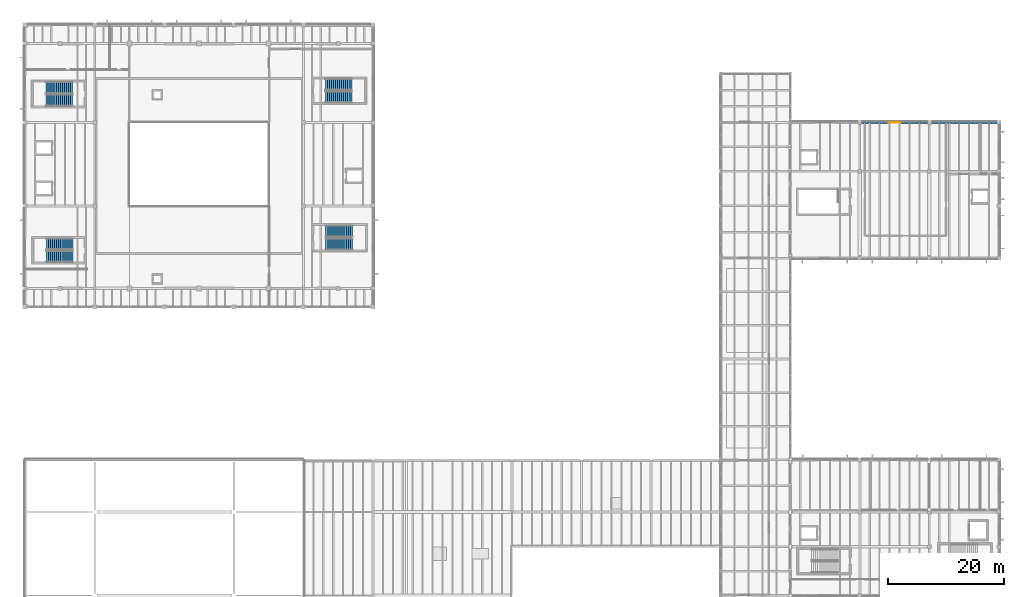
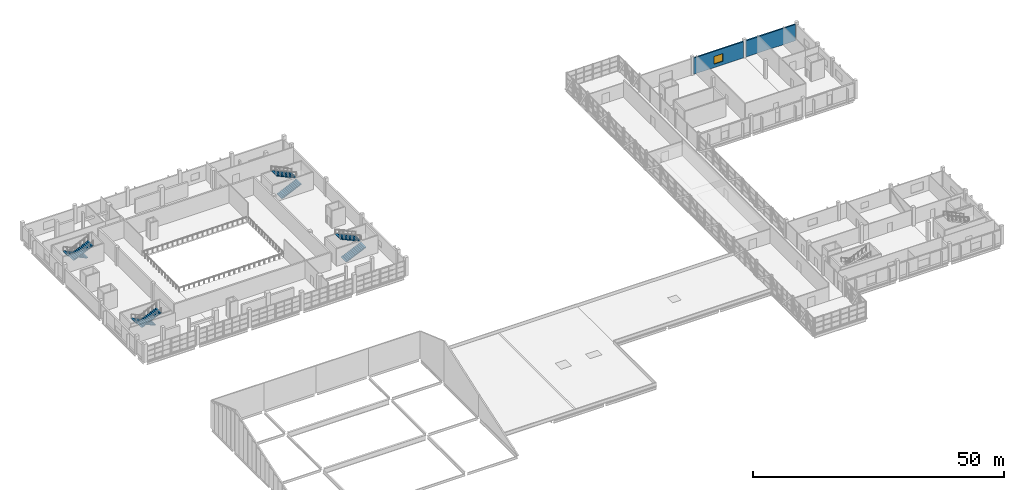
# One storey, part 51 of 63: 8 stair flights, 2 walls, 1 window, 1 opening, 4 elements without a shape of their own.
"""IFC4 building model written with IfcOpenShell, lengths in metres."""

from ifc_helpers import new_model, si_unit, direction, frame, frame_2d, origin, place, context, subcontext, project, spatial, polyline, rectangle, outline, extrude, material, layer, layer_set, type_object, element, fill, aggregate, save


model = new_model("IFC4")

# Units and contexts
model_context = context("Model", 3, precision=1e-05, world=origin(), true_north=direction((0.0, 1.0)))
body_context = subcontext(model_context, "Body", "Model", "MODEL_VIEW")
ifc_project = project(units=[si_unit("LENGTHUNIT", "METRE"), si_unit("AREAUNIT", "SQUARE_METRE"), si_unit("VOLUMEUNIT", "CUBIC_METRE"), si_unit("PLANEANGLEUNIT", "RADIAN"), si_unit("MASSUNIT", "GRAM", prefix="KILO")], contexts=[model_context])

# Site, building, storey
site_placement = place(None, origin())
site = spatial("IfcSite", under=ifc_project, at=site_placement, CompositionType="ELEMENT")
building_placement = place(site_placement, origin())
building = spatial("IfcBuilding", under=site, at=building_placement, Name="Kelmvaro Bay Concert Hall", CompositionType="ELEMENT")
storey_placement = place(building_placement, frame((0.0, 0.0, 13.800048828125)))
storey = spatial("IfcBuildingStorey", under=building, at=storey_placement, Name="L03", CompositionType="ELEMENT", Elevation=13.800048828125)

# Wall, opening, window
ifc_material_1 = material(Name="Precast Concrete C40/50", Category="concrete")
ifc_layer = layer(ifc_material_1, 0.320068359375)
ifc_layer_set = layer_set([ifc_layer], Name="Precast Concrete C40/50")
wall_type = type_object("IfcWallType", Name="Chamber Pavilion Precast Wall 320", PredefinedType="SOLIDWALL", material=ifc_layer_set)
wall_1_placement = place(storey_placement, frame((144.324951171875, 97.199951171875, 0.0), z_axis=(0.0, 0.0, 1.0), x_axis=(1.0, 0.0, 0.0)))
wall_1 = element("IfcWall", 1, at=wall_1_placement, inside=storey, type_object=wall_type, Name="L03 Exterior Wall EW-L03-0151", PredefinedType="SOLIDWALL", context=body_context, shape_type="SweptSolid", body=[
    extrude(rectangle(XDim=11.35009765625, YDim=0.320068359375, at=frame_2d((5.675048828125, 0.0))), origin(), (0.0, 0.0, 1.0), 3.94384765625),
])
opening_placement = place(wall_1_placement, frame((4.675048828125, 0.0, 0.85009765625)))
opening = element("IfcOpeningElement", 2, at=opening_placement, cuts=wall_1, Name="Opening WN-16", PredefinedType="OPENING", context=body_context, shape_type="SweptSolid", body=[
    extrude(rectangle(XDim=2.0, YDim=1.85009765625, at=frame_2d((1.0, 0.925048828125))), frame((0.0, 0.169921875, 0.0), z_axis=(0.0, -1.0, 0.0), x_axis=(1.0, 0.0, 0.0)), (0.0, 0.0, 1.0), 0.340087890625),
])
ifc_material_2 = material(Name="Thermally Broken Aluminium and Acoustic Low-E Glass", Category="aluminium")
window_type = type_object("IfcWindowType", Name="Green Room Garden Window 2000x1850", PartitioningType="SINGLE_PANEL", PredefinedType="WINDOW", material=ifc_material_2)
window_placement = place(opening_placement, origin())
window = element("IfcWindow", 3, at=window_placement, inside=storey, type_object=window_type, Name="L03 Facade Window WN-L03-0071", OverallHeight=1.85009765625, OverallWidth=2.0, PartitioningType="SINGLE_PANEL", PredefinedType="WINDOW", context=body_context, shape_type="SweptSolid", body=[
    extrude(rectangle(XDim=2.0, YDim=1.85009765625, at=frame_2d((1.0, 0.925048828125))), frame((0.0, 0.030029296875, 0.0), z_axis=(0.0, -1.0, 0.0), x_axis=(1.0, 0.0, 0.0)), (0.0, 0.0, 1.0), 0.06005859375),
])
fill(opening, window)

# Wall
wall_2_placement = place(storey_placement, frame((156.324951171875, 97.199951171875, 0.0), z_axis=(0.0, 0.0, 1.0), x_axis=(1.0, 0.0, 0.0)))
element("IfcWall", 4, at=wall_2_placement, inside=storey, type_object=wall_type, Name="L03 Exterior Wall EW-L03-0152", PredefinedType="SOLIDWALL", context=body_context, shape_type="SweptSolid", body=[
    extrude(rectangle(XDim=11.35009765625, YDim=0.320068359375, at=frame_2d((5.675048828125, 0.0))), origin(), (0.0, 0.0, 1.0), 3.94384765625),
])

# Stair, stair flights
ifc_material_3 = material(Name="Concrete C40/50", Category="concrete")
stair_type_1 = type_object("IfcStairType", Name="Core Dogleg Exit Stair 1980", PredefinedType="USERDEFINED", material=ifc_material_3)
stair_1_placement = place(storey_placement, origin())
stair_1 = element("IfcStair", 5, at=stair_1_placement, inside=storey, type_object=stair_type_1, Name="L03 Exit Stair ST-01", ObjectType="TWO_RETURN_STAIR", PredefinedType="USERDEFINED")
ifc_material_4 = material(Name="Precast Concrete C40/50", Category="concrete")
stair_flight_type_1 = type_object("IfcStairFlightType", Name="Precast Concrete Core Stair Flight 1980", PredefinedType="STRAIGHT", material=ifc_material_4)
stair_flight_1_placement = place(storey_placement, frame((8.219970703125, 76.2099609375, 0.0), z_axis=(0.0, 0.0, 1.0), x_axis=(-1.0, 0.0, 0.0)))
stair_flight_1 = element("IfcStairFlight", 6, at=stair_flight_1_placement, type_object=stair_flight_type_1, Name="ST-01 flight 1", NumberOfRisers=14, NumberOfTreads=13, PredefinedType="STRAIGHT", RiserHeight=0.160714286, TreadLength=0.348, context=body_context, shape_type="SweptSolid", body=[
    extrude(outline(polyline([(0.0, 0.0), (0.0, 0.16064453125), (0.347900390625, 0.16064453125), (0.347900390625, 0.321533203125), (0.696044921875, 0.321533203125), (0.696044921875, 0.482177734375), (1.0439453125, 0.482177734375), (1.0439453125, 0.642822265625), (1.39208984375, 0.642822265625), (1.39208984375, 0.803466796875), (1.739990234375, 0.803466796875), (1.739990234375, 0.96435546875), (2.087890625, 0.96435546875), (2.087890625, 1.125), (2.43603515625, 1.125), (2.43603515625, 1.28564453125), (2.783935546875, 1.28564453125), (2.783935546875, 1.446533203125), (3.132080078125, 1.446533203125), (3.132080078125, 1.607177734375), (3.47998046875, 1.607177734375), (3.47998046875, 1.767822265625), (3.827880859375, 1.767822265625), (3.827880859375, 1.928466796875), (4.176025390625, 1.928466796875), (4.176025390625, 2.08935546875), (4.52392578125, 2.08935546875), (4.52392578125, 2.25), (4.52392578125, 1.924072265625), (0.357421875, 0.0), (0.0, 0.0)])), frame((0.0, 0.989990234375, 0.0), z_axis=(0.0, -1.0, 0.0), x_axis=(1.0, 0.0, 0.0)), (0.0, 0.0, 1.0), 1.97998046875),
])
stair_flight_2_placement = place(storey_placement, frame((3.696044921875, 74.080078125, 2.25), z_axis=(0.0, 0.0, 1.0), x_axis=(1.0, 0.0, 0.0)))
stair_flight_2 = element("IfcStairFlight", 7, at=stair_flight_2_placement, type_object=stair_flight_type_1, Name="ST-01 flight 2", NumberOfRisers=14, NumberOfTreads=13, PredefinedType="STRAIGHT", RiserHeight=0.160714286, TreadLength=0.348, context=body_context, shape_type="SweptSolid", body=[
    extrude(outline(polyline([(0.0, 0.0), (0.0, 0.16064453125), (0.347900390625, 0.16064453125), (0.347900390625, 0.321533203125), (0.696044921875, 0.321533203125), (0.696044921875, 0.482177734375), (1.0439453125, 0.482177734375), (1.0439453125, 0.642822265625), (1.39208984375, 0.642822265625), (1.39208984375, 0.803466796875), (1.739990234375, 0.803466796875), (1.739990234375, 0.96435546875), (2.087890625, 0.96435546875), (2.087890625, 1.125), (2.43603515625, 1.125), (2.43603515625, 1.28564453125), (2.783935546875, 1.28564453125), (2.783935546875, 1.446533203125), (3.132080078125, 1.446533203125), (3.132080078125, 1.607177734375), (3.47998046875, 1.607177734375), (3.47998046875, 1.767822265625), (3.827880859375, 1.767822265625), (3.827880859375, 1.928466796875), (4.176025390625, 1.928466796875), (4.176025390625, 2.08935546875), (4.52392578125, 2.08935546875), (4.52392578125, 2.25), (4.52392578125, 1.924072265625), (0.357421875, 0.0), (0.0, 0.0)])), frame((0.0, 0.989990234375, 0.0), z_axis=(0.0, -1.0, 0.0), x_axis=(1.0, 0.0, 0.0)), (0.0, 0.0, 1.0), 1.97998046875),
])
aggregate(stair_1, [stair_flight_1, stair_flight_2])

ifc_material_5 = material(Name="Concrete C40/50", Category="concrete")
stair_type_2 = type_object("IfcStairType", Name="Core Dogleg Exit Stair 2000", PredefinedType="USERDEFINED", material=ifc_material_5)
stair_2_placement = place(storey_placement, origin())
stair_2 = element("IfcStair", 8, at=stair_2_placement, inside=storey, type_object=stair_type_2, Name="L03 Exit Stair ST-02", ObjectType="TWO_RETURN_STAIR", PredefinedType="USERDEFINED")
ifc_material_6 = material(Name="Precast Concrete C40/50", Category="concrete")
stair_flight_type_2 = type_object("IfcStairFlightType", Name="Precast Concrete Core Stair Flight 2000", PredefinedType="STRAIGHT", material=ifc_material_6)
stair_flight_3_placement = place(storey_placement, frame((51.800048828125, 101.60009765625, 0.0), z_axis=(0.0, 0.0, 1.0), x_axis=(1.0, 0.0, 0.0)))
stair_flight_3 = element("IfcStairFlight", 9, at=stair_flight_3_placement, type_object=stair_flight_type_2, Name="ST-02 flight 1", NumberOfRisers=14, NumberOfTreads=13, PredefinedType="STRAIGHT", RiserHeight=0.160714286, TreadLength=0.35, context=body_context, shape_type="SweptSolid", body=[
    extrude(outline(polyline([(0.0, 0.0), (0.0, 0.16064453125), (0.35009765625, 0.16064453125), (0.35009765625, 0.321533203125), (0.699951171875, 0.321533203125), (0.699951171875, 0.482177734375), (1.050048828125, 0.482177734375), (1.050048828125, 0.642822265625), (1.39990234375, 0.642822265625), (1.39990234375, 0.803466796875), (1.75, 0.803466796875), (1.75, 0.96435546875), (2.10009765625, 0.96435546875), (2.10009765625, 1.125), (2.449951171875, 1.125), (2.449951171875, 1.28564453125), (2.800048828125, 1.28564453125), (2.800048828125, 1.446533203125), (3.14990234375, 1.446533203125), (3.14990234375, 1.607177734375), (3.5, 1.607177734375), (3.5, 1.767822265625), (3.85009765625, 1.767822265625), (3.85009765625, 1.928466796875), (4.199951171875, 1.928466796875), (4.199951171875, 2.08935546875), (4.550048828125, 2.08935546875), (4.550048828125, 2.25), (4.550048828125, 1.92431640625), (0.359130859375, 0.0), (0.0, 0.0)])), frame((0.0, 1.0, 0.0), z_axis=(0.0, -1.0, 0.0), x_axis=(1.0, 0.0, 0.0)), (0.0, 0.0, 1.0), 2.0),
])
stair_flight_4_placement = place(storey_placement, frame((56.35009765625, 103.75, 2.25), z_axis=(0.0, 0.0, 1.0), x_axis=(-1.0, 0.0, 0.0)))
stair_flight_4 = element("IfcStairFlight", 10, at=stair_flight_4_placement, type_object=stair_flight_type_2, Name="ST-02 flight 2", NumberOfRisers=14, NumberOfTreads=13, PredefinedType="STRAIGHT", RiserHeight=0.160714286, TreadLength=0.35, context=body_context, shape_type="SweptSolid", body=[
    extrude(outline(polyline([(0.0, 0.0), (0.0, 0.16064453125), (0.35009765625, 0.16064453125), (0.35009765625, 0.321533203125), (0.699951171875, 0.321533203125), (0.699951171875, 0.482177734375), (1.050048828125, 0.482177734375), (1.050048828125, 0.642822265625), (1.39990234375, 0.642822265625), (1.39990234375, 0.803466796875), (1.75, 0.803466796875), (1.75, 0.96435546875), (2.10009765625, 0.96435546875), (2.10009765625, 1.125), (2.449951171875, 1.125), (2.449951171875, 1.28564453125), (2.800048828125, 1.28564453125), (2.800048828125, 1.446533203125), (3.14990234375, 1.446533203125), (3.14990234375, 1.607177734375), (3.5, 1.607177734375), (3.5, 1.767822265625), (3.85009765625, 1.767822265625), (3.85009765625, 1.928466796875), (4.199951171875, 1.928466796875), (4.199951171875, 2.08935546875), (4.550048828125, 2.08935546875), (4.550048828125, 2.25), (4.550048828125, 1.92431640625), (0.359130859375, 0.0), (0.0, 0.0)])), frame((0.0, 1.0, 0.0), z_axis=(0.0, -1.0, 0.0), x_axis=(1.0, 0.0, 0.0)), (0.0, 0.0, 1.0), 2.0),
])
aggregate(stair_2, [stair_flight_3, stair_flight_4])

ifc_material_7 = material(Name="Concrete C40/50", Category="concrete")
stair_type_3 = type_object("IfcStairType", Name="Core Dogleg Exit Stair 2020", PredefinedType="USERDEFINED", material=ifc_material_7)
stair_3_placement = place(storey_placement, origin())
stair_3 = element("IfcStair", 11, at=stair_3_placement, inside=storey, type_object=stair_type_3, Name="L03 Exit Stair ST-03", ObjectType="TWO_RETURN_STAIR", PredefinedType="USERDEFINED")
ifc_material_8 = material(Name="Precast Concrete C40/50", Category="concrete")
stair_flight_type_3 = type_object("IfcStairFlightType", Name="Precast Concrete Core Stair Flight 2020", PredefinedType="STRAIGHT", material=ifc_material_8)
stair_flight_5_placement = place(storey_placement, frame((8.179931640625, 103.18994140625, 0.0), z_axis=(0.0, 0.0, 1.0), x_axis=(-1.0, 0.0, 0.0)))
stair_flight_5 = element("IfcStairFlight", 12, at=stair_flight_5_placement, type_object=stair_flight_type_3, Name="ST-03 flight 1", NumberOfRisers=14, NumberOfTreads=13, PredefinedType="STRAIGHT", RiserHeight=0.160714286, TreadLength=0.352, context=body_context, shape_type="SweptSolid", body=[
    extrude(outline(polyline([(0.0, 0.0), (0.0, 0.16064453125), (0.35205078125, 0.16064453125), (0.35205078125, 0.321533203125), (0.7041015625, 0.321533203125), (0.7041015625, 0.482177734375), (1.055908203125, 0.482177734375), (1.055908203125, 0.642822265625), (1.407958984375, 0.642822265625), (1.407958984375, 0.803466796875), (1.760009765625, 0.803466796875), (1.760009765625, 0.96435546875), (2.112060546875, 0.96435546875), (2.112060546875, 1.125), (2.464111328125, 1.125), (2.464111328125, 1.28564453125), (2.81591796875, 1.28564453125), (2.81591796875, 1.446533203125), (3.16796875, 1.446533203125), (3.16796875, 1.607177734375), (3.52001953125, 1.607177734375), (3.52001953125, 1.767822265625), (3.8720703125, 1.767822265625), (3.8720703125, 1.928466796875), (4.22412109375, 1.928466796875), (4.22412109375, 2.08935546875), (4.575927734375, 2.08935546875), (4.575927734375, 2.25), (4.575927734375, 1.924560546875), (0.36083984375, 0.0), (0.0, 0.0)])), frame((0.0, 1.010009765625, 0.0), z_axis=(0.0, -1.0, 0.0), x_axis=(1.0, 0.0, 0.0)), (0.0, 0.0, 1.0), 2.02001953125),
])
stair_flight_6_placement = place(storey_placement, frame((3.60400390625, 101.02001953125, 2.25), z_axis=(0.0, 0.0, 1.0), x_axis=(1.0, 0.0, 0.0)))
stair_flight_6 = element("IfcStairFlight", 13, at=stair_flight_6_placement, type_object=stair_flight_type_3, Name="ST-03 flight 2", NumberOfRisers=14, NumberOfTreads=13, PredefinedType="STRAIGHT", RiserHeight=0.160714286, TreadLength=0.352, context=body_context, shape_type="SweptSolid", body=[
    extrude(outline(polyline([(0.0, 0.0), (0.0, 0.16064453125), (0.35205078125, 0.16064453125), (0.35205078125, 0.321533203125), (0.7041015625, 0.321533203125), (0.7041015625, 0.482177734375), (1.055908203125, 0.482177734375), (1.055908203125, 0.642822265625), (1.407958984375, 0.642822265625), (1.407958984375, 0.803466796875), (1.760009765625, 0.803466796875), (1.760009765625, 0.96435546875), (2.112060546875, 0.96435546875), (2.112060546875, 1.125), (2.464111328125, 1.125), (2.464111328125, 1.28564453125), (2.81591796875, 1.28564453125), (2.81591796875, 1.446533203125), (3.16796875, 1.446533203125), (3.16796875, 1.607177734375), (3.52001953125, 1.607177734375), (3.52001953125, 1.767822265625), (3.8720703125, 1.767822265625), (3.8720703125, 1.928466796875), (4.22412109375, 1.928466796875), (4.22412109375, 2.08935546875), (4.575927734375, 2.08935546875), (4.575927734375, 2.25), (4.575927734375, 1.924560546875), (0.36083984375, 0.0), (0.0, 0.0)])), frame((0.0, 1.010009765625, 0.0), z_axis=(0.0, -1.0, 0.0), x_axis=(1.0, 0.0, 0.0)), (0.0, 0.0, 1.0), 2.02001953125),
])
aggregate(stair_3, [stair_flight_5, stair_flight_6])

ifc_material_9 = material(Name="Concrete C40/50", Category="concrete")
stair_type_4 = type_object("IfcStairType", Name="Core Dogleg Exit Stair 2050", PredefinedType="USERDEFINED", material=ifc_material_9)
stair_4_placement = place(storey_placement, origin())
stair_4 = element("IfcStair", 14, at=stair_4_placement, inside=storey, type_object=stair_type_4, Name="L03 Exit Stair ST-04", ObjectType="TWO_RETURN_STAIR", PredefinedType="USERDEFINED")
ifc_material_10 = material(Name="Precast Concrete C40/50", Category="concrete")
stair_flight_type_4 = type_object("IfcStairFlightType", Name="Precast Concrete Core Stair Flight 2050", PredefinedType="STRAIGHT", material=ifc_material_10)
stair_flight_7_placement = place(storey_placement, frame((51.85009765625, 76.22509765625, 0.0), z_axis=(0.0, 0.0, 1.0), x_axis=(1.0, 0.0, 0.0)))
stair_flight_7 = element("IfcStairFlight", 15, at=stair_flight_7_placement, type_object=stair_flight_type_4, Name="ST-04 flight 1", NumberOfRisers=14, NumberOfTreads=13, PredefinedType="STRAIGHT", RiserHeight=0.160714286, TreadLength=0.355, context=body_context, shape_type="SweptSolid", body=[
    extrude(outline(polyline([(0.0, 0.0), (0.0, 0.16064453125), (0.35498046875, 0.16064453125), (0.35498046875, 0.321533203125), (0.7099609375, 0.321533203125), (0.7099609375, 0.482177734375), (1.06494140625, 0.482177734375), (1.06494140625, 0.642822265625), (1.419921875, 0.642822265625), (1.419921875, 0.803466796875), (1.77490234375, 0.803466796875), (1.77490234375, 0.96435546875), (2.1298828125, 0.96435546875), (2.1298828125, 1.125), (2.485107421875, 1.125), (2.485107421875, 1.28564453125), (2.840087890625, 1.28564453125), (2.840087890625, 1.446533203125), (3.195068359375, 1.446533203125), (3.195068359375, 1.607177734375), (3.550048828125, 1.607177734375), (3.550048828125, 1.767822265625), (3.905029296875, 1.767822265625), (3.905029296875, 1.928466796875), (4.260009765625, 1.928466796875), (4.260009765625, 2.08935546875), (4.614990234375, 2.08935546875), (4.614990234375, 2.25), (4.614990234375, 1.9248046875), (0.363525390625, 0.0), (0.0, 0.0)])), frame((0.0, 1.02490234375, 0.0), z_axis=(0.0, -1.0, 0.0), x_axis=(1.0, 0.0, 0.0)), (0.0, 0.0, 1.0), 2.050048828125),
])
stair_flight_8_placement = place(storey_placement, frame((56.465087890625, 78.425048828125, 2.25), z_axis=(0.0, 0.0, 1.0), x_axis=(-1.0, 0.0, 0.0)))
stair_flight_8 = element("IfcStairFlight", 16, at=stair_flight_8_placement, type_object=stair_flight_type_4, Name="ST-04 flight 2", NumberOfRisers=14, NumberOfTreads=13, PredefinedType="STRAIGHT", RiserHeight=0.160714286, TreadLength=0.355, context=body_context, shape_type="SweptSolid", body=[
    extrude(outline(polyline([(0.0, 0.0), (0.0, 0.16064453125), (0.35498046875, 0.16064453125), (0.35498046875, 0.321533203125), (0.7099609375, 0.321533203125), (0.7099609375, 0.482177734375), (1.06494140625, 0.482177734375), (1.06494140625, 0.642822265625), (1.419921875, 0.642822265625), (1.419921875, 0.803466796875), (1.77490234375, 0.803466796875), (1.77490234375, 0.96435546875), (2.1298828125, 0.96435546875), (2.1298828125, 1.125), (2.485107421875, 1.125), (2.485107421875, 1.28564453125), (2.840087890625, 1.28564453125), (2.840087890625, 1.446533203125), (3.195068359375, 1.446533203125), (3.195068359375, 1.607177734375), (3.550048828125, 1.607177734375), (3.550048828125, 1.767822265625), (3.905029296875, 1.767822265625), (3.905029296875, 1.928466796875), (4.260009765625, 1.928466796875), (4.260009765625, 2.08935546875), (4.614990234375, 2.08935546875), (4.614990234375, 2.25), (4.614990234375, 1.9248046875), (0.363525390625, 0.0), (0.0, 0.0)])), frame((0.0, 1.02490234375, 0.0), z_axis=(0.0, -1.0, 0.0), x_axis=(1.0, 0.0, 0.0)), (0.0, 0.0, 1.0), 2.050048828125),
])
aggregate(stair_4, [stair_flight_7, stair_flight_8])

save(model, "model.ifc")
